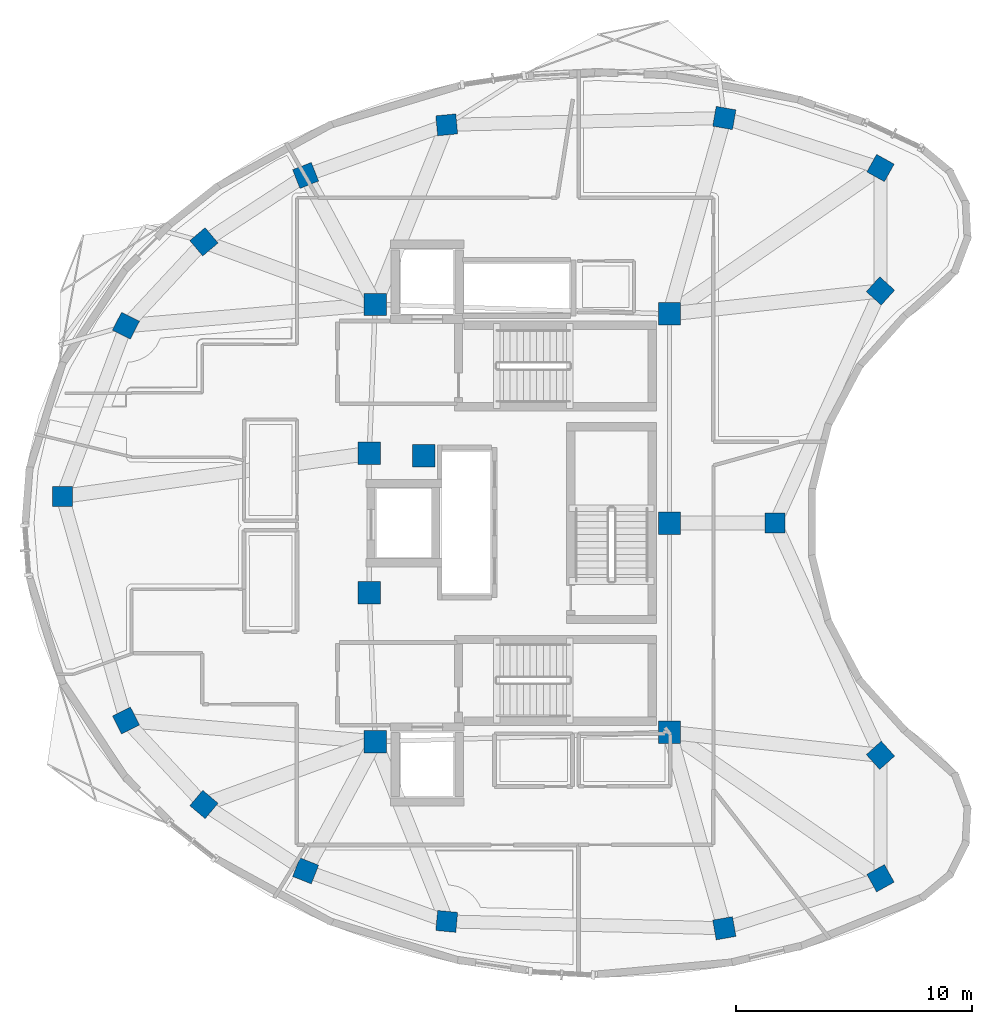
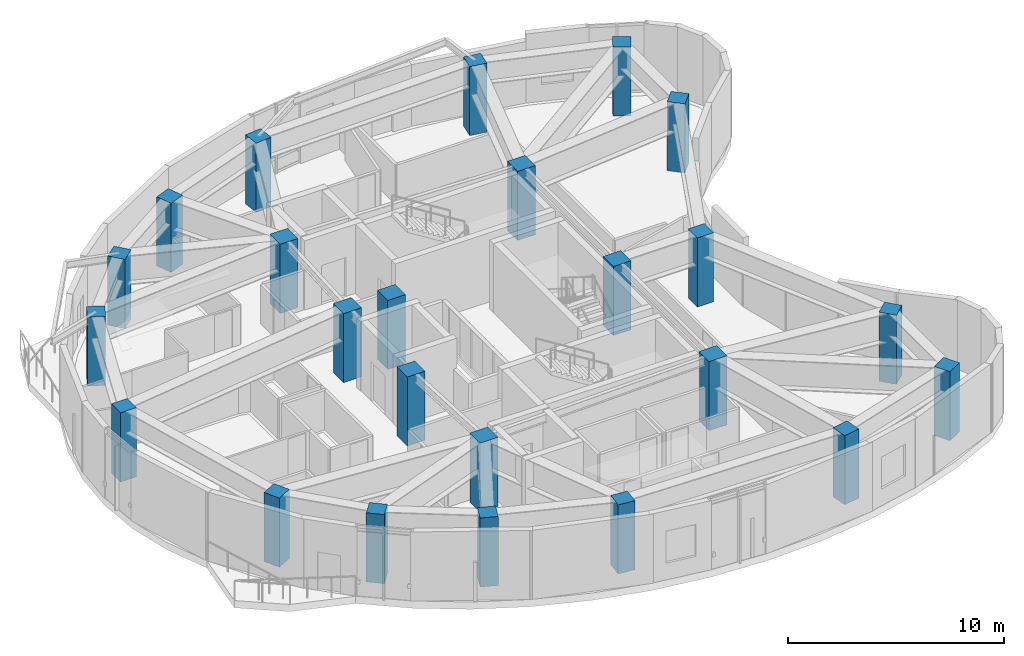
# One storey, part 1 of 12: 24 columns.
"""IFC4 building model written with IfcOpenShell, lengths in metres."""

from ifc_helpers import new_model, si_unit, direction, frame, origin, origin_2d, place, context, subcontext, project, spatial, rectangle, extrude, material, material_profile, profile_set, type_object, element, save


model = new_model("IFC4")

# Units and contexts
model_context = context("Model", 3, precision=1e-05, world=origin(), true_north=direction((0.0, 1.0)))
body_context = subcontext(model_context, "Body", "Model", "MODEL_VIEW")
ifc_project = project(units=[si_unit("LENGTHUNIT", "METRE"), si_unit("AREAUNIT", "SQUARE_METRE"), si_unit("VOLUMEUNIT", "CUBIC_METRE"), si_unit("PLANEANGLEUNIT", "RADIAN"), si_unit("MASSUNIT", "GRAM", prefix="KILO")], contexts=[model_context])

# Site, building, storey
site_placement = place(None, origin())
site = spatial("IfcSite", under=ifc_project, at=site_placement, CompositionType="ELEMENT")
building_placement = place(site_placement, origin())
building = spatial("IfcBuilding", under=site, at=building_placement, Name="Korentha Bioscience Tower", CompositionType="ELEMENT")
storey_placement = place(building_placement, frame((0.0, 0.0, 286.800048828125)))
storey = spatial("IfcBuildingStorey", under=building, at=storey_placement, Name="L66", CompositionType="ELEMENT", Elevation=286.800048828125)

# Columns
ifc_material_1 = material(Name="Concrete C65", Category="concrete")
ifc_material_profile_1 = material_profile(ifc_material_1, rectangle(XDim=0.949951171875, YDim=0.949951171875, at=origin_2d()), Name="Concrete C65")
ifc_profile_set_1 = profile_set([ifc_material_profile_1], Name="Concrete C65 (COL-CP09)")
column_type_1 = type_object("IfcColumnType", Name="Core Pilaster Column RC 950x950", PredefinedType="PILASTER", material=ifc_profile_set_1)
for number, where, z_axis, x_axis, name in (
    (1, (37.550048828125, 35.85009765625, -0.00048828125), (0.0, 0.0, 1.0), (1.0, 0.0, 0.0), "L66 Core Pilaster CP-01"),
    (2, (25.10009765625, 36.25, -0.00048828125), (0.0, 0.0, 1.0), (1.0, 0.0, 0.0), "L66 Core Pilaster CP-02"),
    (3, (24.85009765625, 29.949951171875, -0.00048828125), (0.0, 0.0, 1.0), (1.0, 0.0, 0.0), "L66 Core Pilaster CP-03"),
    (4, (27.14990234375, 29.85009765625, -0.00048828125), (0.0, 0.0, 1.0), (1.0, 0.0, 0.0), "L66 Core Pilaster CP-04"),
    (5, (24.85009765625, 24.050048828125, -0.00048828125), (0.0, 0.0, 1.0), (1.0, 0.0, 0.0), "L66 Core Pilaster CP-05"),
    (6, (25.10009765625, 17.75, -0.00048828125), (0.0, 0.0, 1.0), (1.0, 0.0, 0.0), "L66 Core Pilaster CP-06"),
    (7, (37.550048828125, 18.14990234375, -0.00048828125), (0.0, 0.0, 1.0), (1.0, 0.0, 0.0), "L66 Core Pilaster CP-07"),
    (8, (37.550048828125, 27.0, -0.00048828125), (0.0, 0.0, 1.0), (1.0, 0.0, 0.0), "L66 Core Pilaster CP-08"),
):
    element("IfcColumn", number, at=place(storey_placement, frame(where, z_axis=z_axis, x_axis=x_axis)), inside=storey, type_object=column_type_1, Name=name, PredefinedType="PILASTER", context=body_context, shape_type="SweptSolid", body=[
        extrude(rectangle(XDim=0.949951171875, YDim=0.949951171875, at=origin_2d()), origin(), (0.0, 0.0, 1.0), 3.90087890625),
    ])
ifc_material_2 = material(Name="Concrete C50", Category="concrete")
ifc_material_profile_2 = material_profile(ifc_material_2, rectangle(XDim=0.85009765625, YDim=0.85009765625, at=origin_2d()), Name="Concrete C50")
ifc_profile_set_2 = profile_set([ifc_material_profile_2], Name="Concrete C50 (COL-P08)")
column_type_2 = type_object("IfcColumnType", Name="Perimeter Column RC 850x850", PredefinedType="COLUMN", material=ifc_profile_set_2)
for number, where, z_axis, x_axis, name in (
    (9, (46.476318359375, 42.022705078125, -0.00048828125), (0.0, 0.0, 1.0), (-0.874535078577, 0.484962262797, 0.0), "L66 Perimeter Column 01"),
    (10, (39.869140625, 44.13818359375, -0.00048828125), (0.0, 0.0, 1.0), (-0.984868307662, 0.173304404339, 0.0), "L66 Perimeter Column 02"),
    (11, (28.125732421875, 43.848876953125, -0.00048828125), (0.0, 0.0, 1.0), (0.995462868748, 0.095150811579, 0.0), "L66 Perimeter Column 03"),
    (12, (22.156982421875, 41.709228515625, -0.00048828125), (0.0, 0.0, 1.0), (0.930225540858, 0.366988341962, 0.0), "L66 Perimeter Column 04"),
    (13, (17.85498046875, 38.90087890625, -0.00048828125), (0.0, 0.0, 1.0), (0.764246456939, 0.644924300253, 0.0), "L66 Perimeter Column 05"),
    (14, (14.556884765625, 35.35107421875, -0.00048828125), (0.0, 0.0, 1.0), (0.453057191132, 0.891481453292, 0.0), "L66 Perimeter Column 06"),
    (15, (11.869384765625, 28.129150390625, -0.00048828125), (0.0, 0.0, 1.0), (0.0, 1.0, 0.0), "L66 Perimeter Column 07"),
    (16, (14.556884765625, 18.64892578125, -0.00048828125), (0.0, 0.0, 1.0), (-0.453057191132, 0.891481453292, 0.0), "L66 Perimeter Column 08"),
    (17, (17.85498046875, 15.09912109375, -0.00048828125), (0.0, 0.0, 1.0), (-0.764246456939, 0.644924300253, 0.0), "L66 Perimeter Column 09"),
    (18, (22.156982421875, 12.290771484375, -0.00048828125), (0.0, 0.0, 1.0), (-0.930225540858, 0.366988341962, 0.0), "L66 Perimeter Column 10"),
    (19, (28.125732421875, 10.151123046875, -0.00048828125), (0.0, 0.0, 1.0), (-0.995462868748, 0.095150811579, 0.0), "L66 Perimeter Column 11"),
    (20, (39.869140625, 9.86181640625, -0.00048828125), (0.0, 0.0, 1.0), (0.984868307662, 0.173304404339, 0.0), "L66 Perimeter Column 12"),
    (21, (46.476318359375, 11.977294921875, -0.00048828125), (0.0, 0.0, 1.0), (0.874535078577, 0.484962262797, 0.0), "L66 Perimeter Column 13"),
    (22, (46.474609375, 17.177490234375, -0.00048828125), (0.0, 0.0, 1.0), (-0.669130606359, 0.743144825477, 0.0), "L66 Perimeter Column 14"),
    (23, (42.020263671875, 27.0, -0.00048828125), (0.0, 0.0, 1.0), (0.0, 1.0, 0.0), "L66 Perimeter Column 15"),
    (24, (46.474609375, 36.822509765625, -0.00048828125), (0.0, 0.0, 1.0), (0.669130606359, 0.743144825477, 0.0), "L66 Perimeter Column 16"),
):
    element("IfcColumn", number, at=place(storey_placement, frame(where, z_axis=z_axis, x_axis=x_axis)), inside=storey, type_object=column_type_2, Name=name, PredefinedType="COLUMN", context=body_context, shape_type="SweptSolid", body=[
        extrude(rectangle(XDim=0.85009765625, YDim=0.85009765625, at=origin_2d()), origin(), (0.0, 0.0, 1.0), 3.90087890625),
    ])

save(model, "model.ifc")
